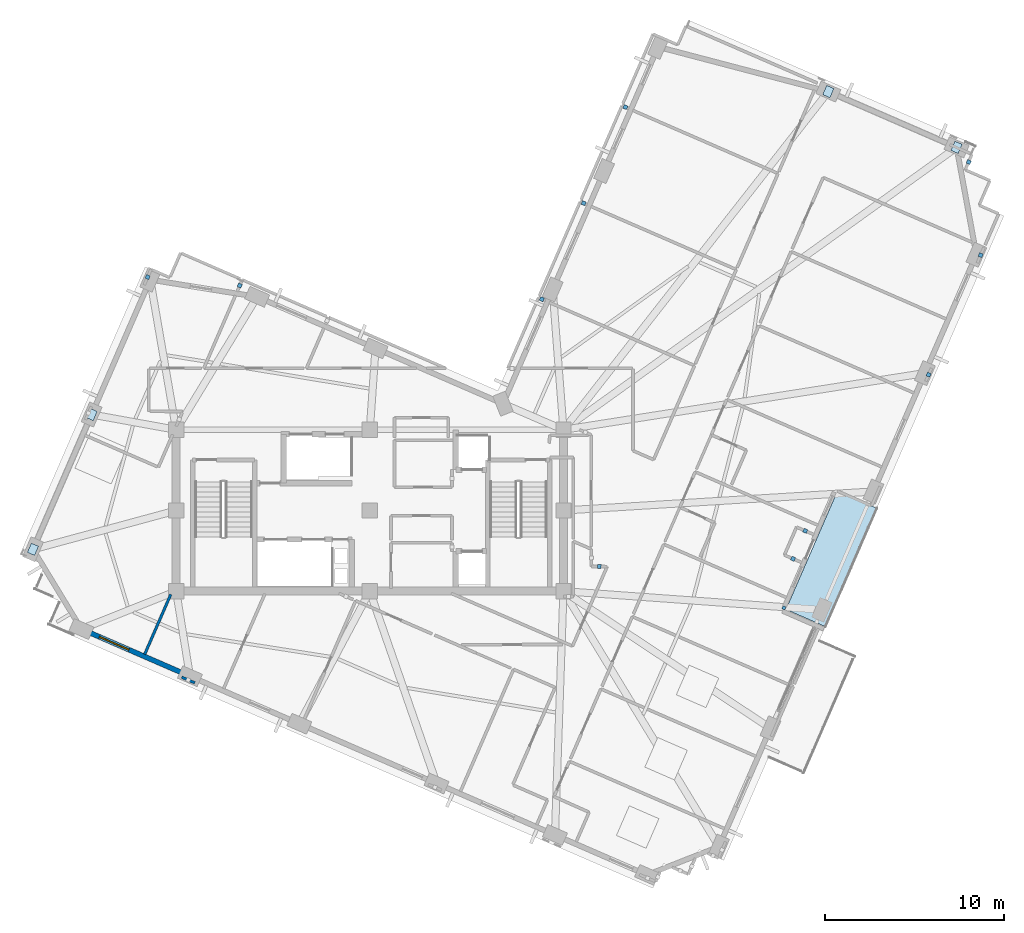
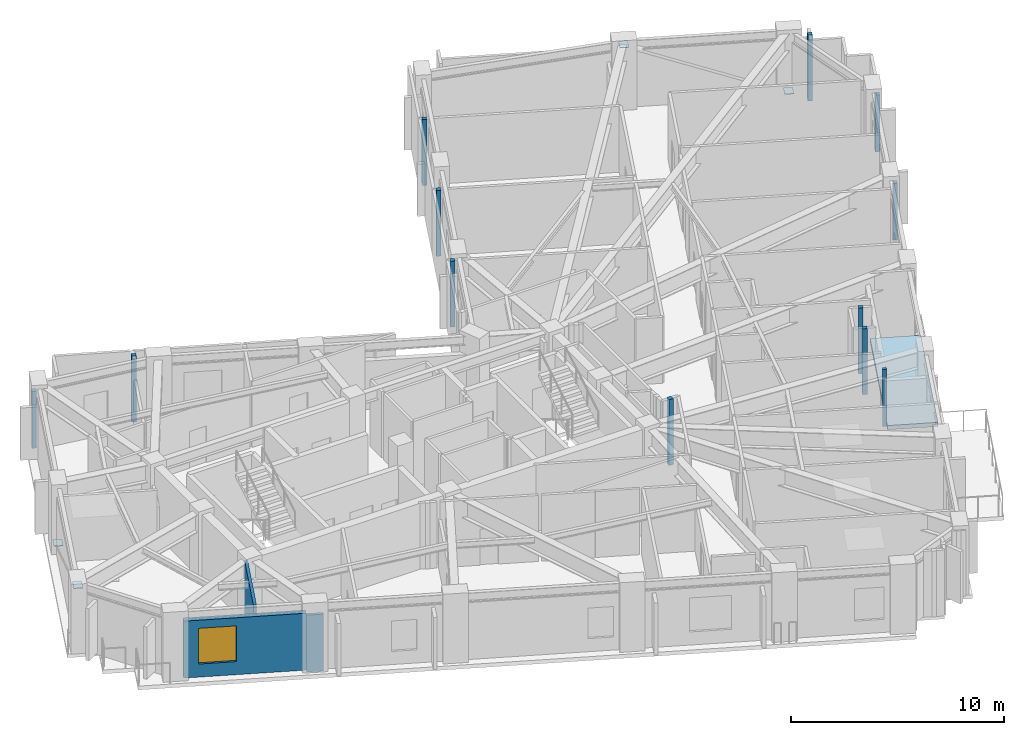
# One storey, part 4 of 12: 16 plates, 3 walls, 1 slab, 1 window, 1 opening.
"""IFC4 building model written with IfcOpenShell, lengths in metres."""

from ifc_helpers import new_model, si_unit, direction, frame, frame_2d, origin, origin_2d, place, context, subcontext, project, spatial, polyline, rectangle, outline, extrude, material, layer, layer_set, type_object, element, fill, save


model = new_model("IFC4")

# Units and contexts
model_context = context("Model", 3, precision=1e-05, world=origin(), true_north=direction((0.0, 1.0)))
body_context = subcontext(model_context, "Body", "Model", "MODEL_VIEW")
ifc_project = project(units=[si_unit("LENGTHUNIT", "METRE"), si_unit("AREAUNIT", "SQUARE_METRE"), si_unit("VOLUMEUNIT", "CUBIC_METRE"), si_unit("PLANEANGLEUNIT", "RADIAN"), si_unit("MASSUNIT", "GRAM", prefix="KILO")], contexts=[model_context])

# Site, building, storey
site_placement = place(None, origin())
site = spatial("IfcSite", under=ifc_project, at=site_placement, CompositionType="ELEMENT")
building_placement = place(site_placement, origin())
building = spatial("IfcBuilding", under=site, at=building_placement, Name="Gaonmaruhae Medical Tower", CompositionType="ELEMENT")
storey_placement = place(building_placement, frame((0.0, 0.0, 320.60009765625)))
storey = spatial("IfcBuildingStorey", under=building, at=storey_placement, Name="L77", CompositionType="ELEMENT", Elevation=320.60009765625)

# Plates
ifc_material_1 = material(Name="Steel HSA650 (650 MPa)", Category="steel")
ifc_layer_1 = layer(ifc_material_1, 0.028076171875)
ifc_layer_set_1 = layer_set([ifc_layer_1], Name="Steel HSA650 (650 MPa)")
plate_type_1 = type_object("IfcPlateType", Name="GP-02 Tube Brace End Cap Gusset Plate", PredefinedType="USERDEFINED", material=ifc_layer_set_1)
for number, where, z_axis, x_axis, name in (
    (1, (57.525634765625, 32.552734375, 0.23583984375), (0.0, 0.0, 1.0), (0.398749068925, 0.917060074385, 0.0), "L77 Gusset Cap Plate PLT-L77-PBR-E01A"),
    (2, (50.372802734375, 35.662841796875, 3.515625), (0.0, 0.0, 1.0), (0.398749068925, 0.917060074385, 0.0), "L77 Gusset Cap Plate PLT-L77-PBR-E01B"),
    (3, (9.283447265625, 17.653564453125, 0.23583984375), (0.0, 0.0, 1.0), (0.398749068925, 0.917060074385, 0.0), "L77 Gusset Cap Plate PLT-L77-PBR-N02A"),
    (4, (6.013671875, 10.133544921875, 3.515625), (0.0, 0.0, 1.0), (0.398749068925, 0.917060074385, 0.0), "L77 Gusset Cap Plate PLT-L77-PBR-N02B"),
):
    element("IfcPlate", number, at=place(storey_placement, frame(where, z_axis=z_axis, x_axis=x_axis)), inside=storey, type_object=plate_type_1, Name=name, ObjectType="GUSSET_PLATE", PredefinedType="USERDEFINED", context=body_context, shape_type="SweptSolid", body=[
        extrude(rectangle(XDim=0.56005859375, YDim=0.43994140625, at=origin_2d()), origin(), (0.0, 0.0, 1.0), 0.028076171875),
    ])
ifc_material_2 = material(Name="Anodised aluminium 6063-T6", Category="aluminium")
ifc_layer_2 = layer(ifc_material_2, 0.011962890625)
ifc_layer_set_2 = layer_set([ifc_layer_2], Name="Anodised aluminium 6063-T6")
plate_type_2 = type_object("IfcPlateType", Name="PP-01 Interior Partition Corner Stiffener Plate", PredefinedType="SHEET", material=ifc_layer_set_2)
plate_1_placement = place(storey_placement, frame((47.896728515625, 6.87109375, 0.0), z_axis=(0.0, 0.0, 1.0), x_axis=(-0.398749068925, -0.917060074385, 0.0)))
element("IfcPlate", 5, at=plate_1_placement, inside=storey, type_object=plate_type_2, Name="L77 Partition End Jamb Post Plate PLT-L77-ENDP-TERB-1", PredefinedType="SHEET", context=body_context, shape_type="SweptSolid", body=[
    extrude(rectangle(XDim=0.179931640625, YDim=0.179931640625, at=origin_2d()), origin(), (0.0, 0.0, 1.0), 3.264892578125),
])
for number, where, z_axis, x_axis, name in (
    (6, (49.08447265625, 11.1640625, 0.0), (0.0, 0.0, 1.0), (-0.917220068627, 0.398380905299, 0.0), "L77 Partition Corner Stiffener Plate PLT-L77-JGP-PW034"),
    (7, (48.406494140625, 9.60498046875, 0.0), (0.0, 0.0, 1.0), (0.917220068627, -0.398380905299, 0.0), "L77 Partition Corner Stiffener Plate PLT-L77-JGP-PW036"),
):
    element("IfcPlate", number, at=place(storey_placement, frame(where, z_axis=z_axis, x_axis=x_axis)), inside=storey, type_object=plate_type_2, Name=name, PredefinedType="SHEET", context=body_context, shape_type="SweptSolid", body=[
        extrude(rectangle(XDim=0.219970703125, YDim=0.219970703125, at=origin_2d()), origin(), (0.0, 0.0, 1.0), 3.780029296875),
    ])
plate_2_placement = place(storey_placement, frame((55.969482421875, 19.87158203125, -0.000244140625), z_axis=(0.0, 0.0, 1.0), x_axis=(-0.398765074582, -0.917053114761, 0.0)))
element("IfcPlate", 8, at=plate_2_placement, inside=storey, type_object=plate_type_2, Name="L77 Partition Corner Stiffener Plate PLT-L77-JGP-PW051", PredefinedType="SHEET", context=body_context, shape_type="SweptSolid", body=[
    extrude(rectangle(XDim=0.219970703125, YDim=0.219970703125, at=origin_2d()), origin(), (0.0, 0.0, 1.0), 3.2451171875),
])
plate_3_placement = place(storey_placement, frame((58.868896484375, 26.53955078125, 0.0), z_axis=(0.0, 0.0, 1.0), x_axis=(-0.399197181389, -0.916865099331, 0.0)))
element("IfcPlate", 9, at=plate_3_placement, inside=storey, type_object=plate_type_2, Name="L77 Partition Corner Stiffener Plate PLT-L77-JGP-PW055", PredefinedType="SHEET", context=body_context, shape_type="SweptSolid", body=[
    extrude(rectangle(XDim=0.219970703125, YDim=0.219970703125, at=origin_2d()), origin(), (0.0, 0.0, 1.0), 3.264892578125),
])
for number, where, z_axis, x_axis, name in (
    (10, (58.20556640625, 31.73388671875, 0.0), (0.0, 0.0, 1.0), (-0.398925124471, -0.916983503159, 0.0), "L77 Partition Corner Stiffener Plate PLT-L77-JGP-PW062"),
    (11, (37.597900390625, 9.173583984375, 0.0), (0.0, 0.0, 1.0), (0.99996791162, -0.008010975579, 0.0), "L77 Partition Corner Stiffener Plate PLT-L77-JGP-PW085"),
    (12, (34.3974609375, 24.08251953125, 0.0), (0.0, 0.0, 1.0), (0.917470197664, -0.397804520334, 0.0), "L77 Partition Corner Stiffener Plate PLT-L77-JGP-PW099"),
    (13, (36.7265625, 29.43896484375, 0.0), (0.0, 0.0, 1.0), (0.916628049537, -0.399741189774, 0.0), "L77 Partition Corner Stiffener Plate PLT-L77-JGP-PW106"),
    (14, (39.055419921875, 34.7958984375, 0.0), (0.0, 0.0, 1.0), (0.916628049537, -0.399741189774, 0.0), "L77 Partition Corner Stiffener Plate PLT-L77-JGP-PW110"),
    (15, (17.5458984375, 24.843505859375, 0.0), (0.0, 0.0, 1.0), (0.398428930284, 0.917199208195, 0.0), "L77 Partition Corner Stiffener Plate PLT-L77-JGP-PW124"),
):
    element("IfcPlate", number, at=place(storey_placement, frame(where, z_axis=z_axis, x_axis=x_axis)), inside=storey, type_object=plate_type_2, Name=name, PredefinedType="SHEET", context=body_context, shape_type="SweptSolid", body=[
        extrude(rectangle(XDim=0.219970703125, YDim=0.219970703125, at=origin_2d()), origin(), (0.0, 0.0, 1.0), 3.780029296875),
    ])
plate_4_placement = place(storey_placement, frame((12.408935546875, 25.319091796875, 0.0), z_axis=(0.0, 0.0, 1.0), x_axis=(0.399261189676, 0.916837227876, 0.0)))
element("IfcPlate", 16, at=plate_4_placement, inside=storey, type_object=plate_type_2, Name="L77 Partition Corner Stiffener Plate PLT-L77-JGP-PW132", PredefinedType="SHEET", context=body_context, shape_type="SweptSolid", body=[
    extrude(rectangle(XDim=0.219970703125, YDim=0.219970703125, at=origin_2d()), origin(), (0.0, 0.0, 1.0), 3.264892578125),
])

# Slab
ifc_material_3 = material(Name="Concrete C40/50", Category="concrete")
ifc_layer_3 = layer(ifc_material_3, 0.239990234375)
ifc_layer_set_3 = layer_set([ifc_layer_3], Name="Concrete C40/50")
slab_type = type_object("IfcSlabType", Name="TS-240 Sky Garden & Recovery Terrace Slab", PredefinedType="FLOOR", material=ifc_layer_set_3)
slab_placement = place(storey_placement, frame((0.0, 0.0, -0.239990234375)))
element("IfcSlab", 17, at=slab_placement, inside=storey, type_object=slab_type, Name="L77 Outdoor Recovery Terrace Slab", PredefinedType="FLOOR", context=body_context, shape_type="SweptSolid", body=[
    extrude(outline(polyline([(50.2099609375, 5.82177734375), (53.0810546875, 12.424560546875), (50.880126953125, 13.381591796875), (48.009033203125, 6.77880859375), (50.2099609375, 5.82177734375)])), origin(), (0.0, 0.0, 1.0), 0.239990234375),
])

# Wall, opening, window
ifc_material_4 = material(Name="Precast concrete C45/55", Category="concrete")
ifc_layer_4 = layer(ifc_material_4, 0.280029296875)
ifc_layer_set_4 = layer_set([ifc_layer_4], Name="Precast concrete C45/55")
wall_type_1 = type_object("IfcWallType", Name="EW-280 Upper Precast Masonry-Frame Facade Wall", PredefinedType="SOLIDWALL", material=ifc_layer_set_4)
wall_1_placement = place(storey_placement, frame((14.403076171875, 3.214599609375, 0.0), z_axis=(0.0, 0.0, 1.0), x_axis=(-0.917061363729, 0.398746103624, 0.0)))
wall_1 = element("IfcWall", 18, at=wall_1_placement, inside=storey, type_object=wall_type_1, Name="L77 Precast Masonry-Frame Wall W01-W02", PredefinedType="SOLIDWALL", context=body_context, shape_type="SweptSolid", body=[
    extrude(rectangle(XDim=5.804931640625, YDim=0.280029296875, at=frame_2d((2.90234375, 0.0))), origin(), (0.0, 0.0, 1.0), 3.264892578125),
])
opening_placement = place(wall_1_placement, frame((3.30859375, 0.0, 0.75)))
opening = element("IfcOpeningElement", 19, at=opening_placement, cuts=wall_1, Name="Opening WN-04", PredefinedType="OPENING", context=body_context, shape_type="SweptSolid", body=[
    extrude(rectangle(XDim=1.800048828125, YDim=2.050048828125, at=frame_2d((0.89990234375, 1.02490234375))), frame((0.0, 0.14990234375, 0.0), z_axis=(0.0, -1.0, 0.0), x_axis=(1.0, 0.0, 0.0)), (0.0, 0.0, 1.0), 0.300048828125),
])
ifc_material_5 = material(Name="Anodised aluminium and Low-E double glazing", Category="aluminium")
window_type = type_object("IfcWindowType", Name="WN-04 Clinic & Consult Punched Window 1800x2050", PartitioningType="SINGLE_PANEL", PredefinedType="WINDOW", material=ifc_material_5)
window_placement = place(opening_placement, origin())
window = element("IfcWindow", 20, at=window_placement, inside=storey, type_object=window_type, Name="L77 Modular Facade Window W01", OverallHeight=2.050048828125, OverallWidth=1.800048828125, PartitioningType="SINGLE_PANEL", PredefinedType="WINDOW", context=body_context, shape_type="SweptSolid", body=[
    extrude(rectangle(XDim=1.800048828125, YDim=2.050048828125, at=frame_2d((0.89990234375, 1.02490234375))), frame((0.0, 0.030029296875, 0.0), z_axis=(0.0, -1.0, 0.0), x_axis=(1.0, 0.0, 0.0)), (0.0, 0.0, 1.0), 0.06005859375),
])
fill(opening, window)

# Walls
ifc_material_6 = material(Name="Gypsum board partition", Category="gypsum")
ifc_layer_5 = layer(ifc_material_6, 0.14990234375)
ifc_layer_set_5 = layer_set([ifc_layer_5], Name="Gypsum board partition")
wall_type_2 = type_object("IfcWallType", Name="PW-150 Rated Clinical Corridor Partition", PredefinedType="PARTITIONING", material=ifc_layer_set_5)
wall_2_placement = place(storey_placement, frame((15.0400390625, 2.68603515625, 0.0), z_axis=(0.0, 0.0, 1.0), x_axis=(-0.916649826418, 0.399691250501, 0.0)))
element("IfcWall", 21, at=wall_2_placement, inside=storey, type_object=wall_type_2, Name="L77 Interior Partition L77-WOF10-81", PredefinedType="PARTITIONING", context=body_context, shape_type="SweptSolid", body=[
    extrude(rectangle(XDim=0.79541015625, YDim=0.14990234375, at=frame_2d((0.397705078125, 0.0))), origin(), (0.0, 0.0, 1.0), 3.264892578125),
])
wall_3_placement = place(storey_placement, frame((12.2451171875, 4.278076171875, 0.0), z_axis=(0.0, 0.0, 1.0), x_axis=(0.398841135758, 0.917020037091, 0.0)))
element("IfcWall", 22, at=wall_3_placement, inside=storey, type_object=wall_type_2, Name="L77 Interior Partition L77-WOF10-82", PredefinedType="PARTITIONING", context=body_context, shape_type="SweptSolid", body=[
    extrude(rectangle(XDim=3.647705078125, YDim=0.14990234375, at=frame_2d((1.82373046875, 0.0))), origin(), (0.0, 0.0, 1.0), 3.77978515625),
])

save(model, "model.ifc")
